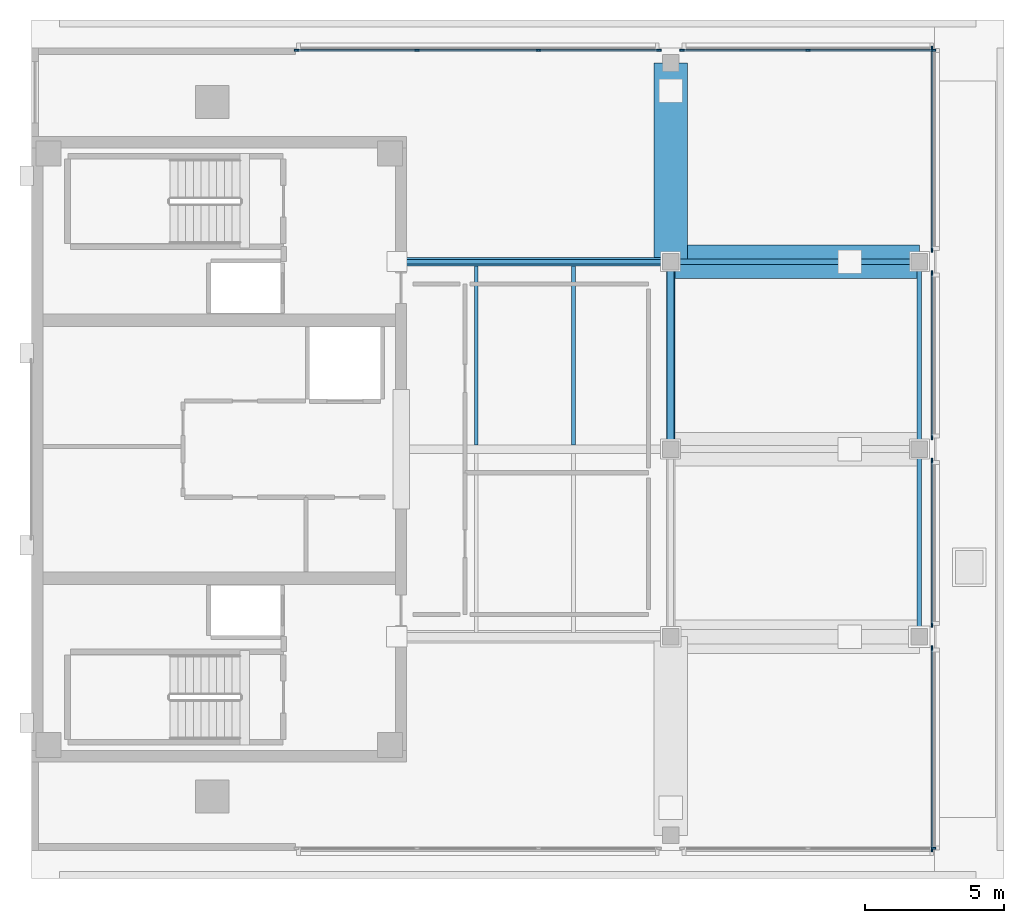
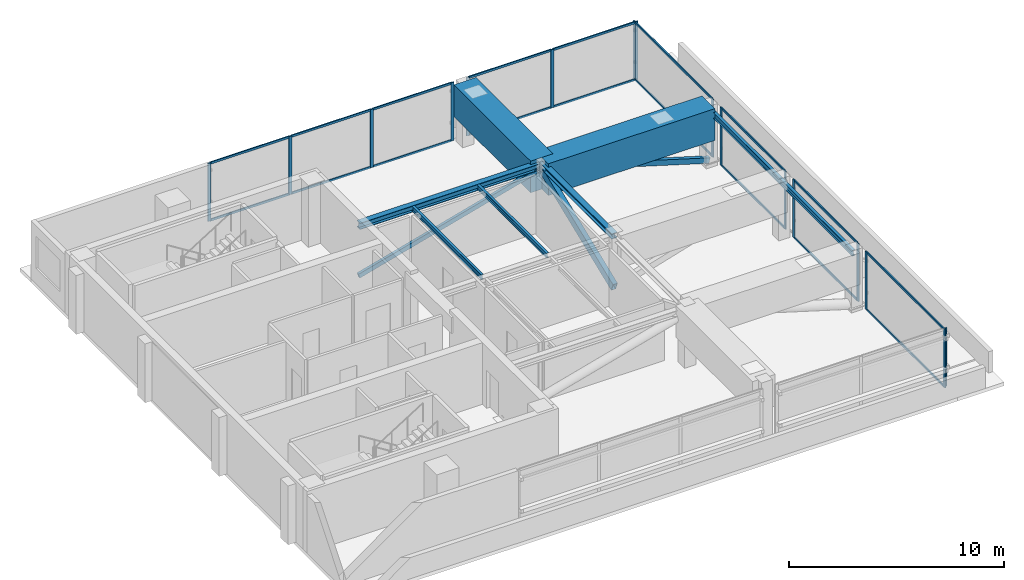
# One storey, part 3 of 10: 37 members, 8 beams, 7 elements without a shape of their own.
"""IFC4 building model written with IfcOpenShell, lengths in metres."""

from ifc_helpers import new_model, si_unit, direction, frame, origin, origin_2d, place, context, subcontext, project, spatial, rectangle, hollow_rectangle, i_section, extrude, material, layer, layer_set, material_profile, profile_set, type_object, element, aggregate, save


model = new_model("IFC4")

# Units and contexts
model_context = context("Model", 3, precision=1e-05, world=origin(), true_north=direction((0.0, 1.0)))
body_context = subcontext(model_context, "Body", "Model", "MODEL_VIEW")
ifc_project = project(units=[si_unit("LENGTHUNIT", "METRE"), si_unit("AREAUNIT", "SQUARE_METRE"), si_unit("VOLUMEUNIT", "CUBIC_METRE"), si_unit("PLANEANGLEUNIT", "RADIAN"), si_unit("MASSUNIT", "GRAM", prefix="KILO")], contexts=[model_context])

# Site, building, storey
site_placement = place(None, origin())
site = spatial("IfcSite", under=ifc_project, at=site_placement, CompositionType="ELEMENT")
building_placement = place(site_placement, origin())
building = spatial("IfcBuilding", under=site, at=building_placement, Name="Kinhvarn Gate Tower", CompositionType="ELEMENT")
storey_placement = place(building_placement, frame((0.0, 0.0, 311.050048828125)))
storey = spatial("IfcBuildingStorey", under=building, at=storey_placement, Name="L82", CompositionType="ELEMENT", Elevation=311.050048828125)

# Beams
ifc_material_1 = material(Name="Concrete C50/60", Category="concrete")
ifc_material_profile_1 = material_profile(ifc_material_1, rectangle(XDim=1.199951171875, YDim=1.800048828125, at=origin_2d()), Name="RC 1200x1800")
ifc_profile_set_1 = profile_set([ifc_material_profile_1], Name="Concrete C50/60")
beam_type_1 = type_object("IfcBeamType", Name="BM-TG-1800", PredefinedType="BEAM", material=ifc_profile_set_1)
beam_1_placement = place(storey_placement, frame((27.5, 32.0, 2.599853515625), z_axis=(1.0, 0.0, 0.0), x_axis=(0.0, 1.0, 0.0)))
element("IfcBeam", 1, at=beam_1_placement, inside=storey, type_object=beam_type_1, Name="Setback Transfer Girder TG-03-L83-CCR-E3", PredefinedType="BEAM", context=body_context, shape_type="SweptSolid", body=[
    extrude(rectangle(XDim=1.199951171875, YDim=1.800048828125, at=origin_2d()), origin(), (0.0, 0.0, 1.0), 8.949951171875),
])
beam_2_placement = place(storey_placement, frame((27.5, 32.0, 2.599853515625), z_axis=(0.0, 1.0, 0.0), x_axis=(-1.0, 0.0, 0.0)))
element("IfcBeam", 2, at=beam_2_placement, inside=storey, type_object=beam_type_1, Name="Setback Transfer Girder TG-03-L83-CCR-N1", PredefinedType="BEAM", context=body_context, shape_type="SweptSolid", body=[
    extrude(rectangle(XDim=1.199951171875, YDim=1.800048828125, at=origin_2d()), origin(), (0.0, 0.0, 1.0), 7.14990234375),
])

# Curtain wall, member
ifc_material_2 = material(Name="Anodised aluminium AW-6063", Category="aluminium")
ifc_layer = layer(ifc_material_2, 0.199951171875)
ifc_layer_set = layer_set([ifc_layer], Name="Anodised aluminium AW-6063")
curtain_wall_type = type_object("IfcCurtainWallType", Name="CW-SYS-6", PredefinedType="NOTDEFINED", material=ifc_layer_set)
curtain_wall_1_placement = place(storey_placement, origin())
curtain_wall_1 = element("IfcCurtainWall", 3, at=curtain_wall_1_placement, inside=storey, type_object=curtain_wall_type, Name="Curtain Wall CW6 (L82)", PredefinedType="NOTDEFINED")
ifc_material_profile_2 = material_profile(ifc_material_2, rectangle(XDim=0.06494140625, YDim=0.159912109375, at=origin_2d()), Name="ALU 65x160")
ifc_profile_set_2 = profile_set([ifc_material_profile_2], Name="Anodised aluminium AW-6063")
member_type_1 = type_object("IfcMemberType", Name="CW-MUL-160", PredefinedType="MULLION", material=ifc_profile_set_2)
member_1_placement = place(storey_placement, frame((36.967529296875, 10.889892578125, 0.0), z_axis=(0.0, 0.0, 1.0), x_axis=(0.0, 1.0, 0.0)))
member_1 = element("IfcMember", 4, at=member_1_placement, type_object=member_type_1, Name="CW6 mullion 3", PredefinedType="MULLION", context=body_context, shape_type="SweptSolid", body=[
    extrude(rectangle(XDim=0.06494140625, YDim=0.159912109375, at=origin_2d()), origin(), (0.0, 0.0, 1.0), 3.300048828125),
])
aggregate(curtain_wall_1, [member_1])

# Curtain wall, members
curtain_wall_2_placement = place(storey_placement, origin())
curtain_wall_2 = element("IfcCurtainWall", 5, at=curtain_wall_2_placement, inside=storey, type_object=curtain_wall_type, Name="Curtain Wall CW6 (L82)", PredefinedType="NOTDEFINED")
member_2_placement = place(storey_placement, frame((36.967529296875, 39.610107421875, 0.0), z_axis=(0.0, 0.0, 1.0), x_axis=(0.0, -1.0, 0.0)))
member_2 = element("IfcMember", 6, at=member_2_placement, type_object=member_type_1, Name="CW6 mullion 1", PredefinedType="MULLION", context=body_context, shape_type="SweptSolid", body=[
    extrude(rectangle(XDim=0.06494140625, YDim=0.159912109375, at=origin_2d()), origin(), (0.0, 0.0, 1.0), 3.300048828125),
])
member_3_placement = place(storey_placement, frame((32.43994140625, 39.610107421875, 0.0), z_axis=(0.0, 0.0, 1.0), x_axis=(0.0, -1.0, 0.0)))
member_3 = element("IfcMember", 7, at=member_3_placement, type_object=member_type_1, Name="CW6 mullion 2", PredefinedType="MULLION", context=body_context, shape_type="SweptSolid", body=[
    extrude(rectangle(XDim=0.06494140625, YDim=0.159912109375, at=origin_2d()), origin(), (0.0, 0.0, 1.0), 3.300048828125),
])
member_4_placement = place(storey_placement, frame((27.91259765625, 39.610107421875, 0.0), z_axis=(0.0, 0.0, 1.0), x_axis=(0.0, -1.0, 0.0)))
member_4 = element("IfcMember", 8, at=member_4_placement, type_object=member_type_1, Name="CW6 mullion 3", PredefinedType="MULLION", context=body_context, shape_type="SweptSolid", body=[
    extrude(rectangle(XDim=0.06494140625, YDim=0.159912109375, at=origin_2d()), origin(), (0.0, 0.0, 1.0), 3.300048828125),
])

curtain_wall_3_placement = place(storey_placement, origin())
curtain_wall_3 = element("IfcCurtainWall", 9, at=curtain_wall_3_placement, inside=storey, type_object=curtain_wall_type, Name="Curtain Wall CW6 (L82)", PredefinedType="NOTDEFINED")
member_5_placement = place(storey_placement, frame((27.08740234375, 39.610107421875, 0.0), z_axis=(0.0, 0.0, 1.0), x_axis=(0.0, -1.0, 0.0)))
member_5 = element("IfcMember", 10, at=member_5_placement, type_object=member_type_1, Name="CW6 mullion 1", PredefinedType="MULLION", context=body_context, shape_type="SweptSolid", body=[
    extrude(rectangle(XDim=0.06494140625, YDim=0.159912109375, at=origin_2d()), origin(), (0.0, 0.0, 1.0), 3.300048828125),
])
member_6_placement = place(storey_placement, frame((22.74658203125, 39.610107421875, 0.0), z_axis=(0.0, 0.0, 1.0), x_axis=(0.0, -1.0, 0.0)))
member_6 = element("IfcMember", 11, at=member_6_placement, type_object=member_type_1, Name="CW6 mullion 2", PredefinedType="MULLION", context=body_context, shape_type="SweptSolid", body=[
    extrude(rectangle(XDim=0.06494140625, YDim=0.159912109375, at=origin_2d()), origin(), (0.0, 0.0, 1.0), 3.300048828125),
])
member_7_placement = place(storey_placement, frame((18.373291015625, 39.610107421875, 0.0), z_axis=(0.0, 0.0, 1.0), x_axis=(0.0, -1.0, 0.0)))
member_7 = element("IfcMember", 12, at=member_7_placement, type_object=member_type_1, Name="CW6 mullion 3", PredefinedType="MULLION", context=body_context, shape_type="SweptSolid", body=[
    extrude(rectangle(XDim=0.06494140625, YDim=0.159912109375, at=origin_2d()), origin(), (0.0, 0.0, 1.0), 3.300048828125),
])
member_8_placement = place(storey_placement, frame((14.032470703125, 39.610107421875, 0.0), z_axis=(0.0, 0.0, 1.0), x_axis=(0.0, -1.0, 0.0)))
member_8 = element("IfcMember", 13, at=member_8_placement, type_object=member_type_1, Name="CW6 mullion 4", PredefinedType="MULLION", context=body_context, shape_type="SweptSolid", body=[
    extrude(rectangle(XDim=0.06494140625, YDim=0.159912109375, at=origin_2d()), origin(), (0.0, 0.0, 1.0), 3.300048828125),
])

curtain_wall_4_placement = place(storey_placement, origin())
curtain_wall_4 = element("IfcCurtainWall", 14, at=curtain_wall_4_placement, inside=storey, type_object=curtain_wall_type, Name="Curtain Wall CW6 (L82)", PredefinedType="NOTDEFINED")
member_9_placement = place(storey_placement, frame((36.909912109375, 10.83251953125, 0.0), z_axis=(0.0, 0.0, 1.0), x_axis=(-1.0, 0.0, 0.0)))
member_9 = element("IfcMember", 15, at=member_9_placement, type_object=member_type_1, Name="CW6 mullion 1", PredefinedType="MULLION", context=body_context, shape_type="SweptSolid", body=[
    extrude(rectangle(XDim=0.06494140625, YDim=0.159912109375, at=origin_2d()), origin(), (0.0, 0.0, 1.0), 3.300048828125),
])
member_10_placement = place(storey_placement, frame((36.909912109375, 18.08740234375, 0.0), z_axis=(0.0, 0.0, 1.0), x_axis=(-1.0, 0.0, 0.0)))
member_10 = element("IfcMember", 16, at=member_10_placement, type_object=member_type_1, Name="CW6 mullion 2", PredefinedType="MULLION", context=body_context, shape_type="SweptSolid", body=[
    extrude(rectangle(XDim=0.06494140625, YDim=0.159912109375, at=origin_2d()), origin(), (0.0, 0.0, 1.0), 3.300048828125),
])

curtain_wall_5_placement = place(storey_placement, origin())
curtain_wall_5 = element("IfcCurtainWall", 17, at=curtain_wall_5_placement, inside=storey, type_object=curtain_wall_type, Name="Curtain Wall CW6 (L82)", PredefinedType="NOTDEFINED")
member_11_placement = place(storey_placement, frame((36.909912109375, 18.91259765625, 0.0), z_axis=(0.0, 0.0, 1.0), x_axis=(-1.0, 0.0, 0.0)))
member_11 = element("IfcMember", 18, at=member_11_placement, type_object=member_type_1, Name="CW6 mullion 1", PredefinedType="MULLION", context=body_context, shape_type="SweptSolid", body=[
    extrude(rectangle(XDim=0.06494140625, YDim=0.159912109375, at=origin_2d()), origin(), (0.0, 0.0, 1.0), 3.300048828125),
])
member_12_placement = place(storey_placement, frame((36.909912109375, 24.83740234375, 0.0), z_axis=(0.0, 0.0, 1.0), x_axis=(-1.0, 0.0, 0.0)))
member_12 = element("IfcMember", 19, at=member_12_placement, type_object=member_type_1, Name="CW6 mullion 2", PredefinedType="MULLION", context=body_context, shape_type="SweptSolid", body=[
    extrude(rectangle(XDim=0.06494140625, YDim=0.159912109375, at=origin_2d()), origin(), (0.0, 0.0, 1.0), 3.300048828125),
])

curtain_wall_6_placement = place(storey_placement, origin())
curtain_wall_6 = element("IfcCurtainWall", 20, at=curtain_wall_6_placement, inside=storey, type_object=curtain_wall_type, Name="Curtain Wall CW6 (L82)", PredefinedType="NOTDEFINED")
member_13_placement = place(storey_placement, frame((36.909912109375, 25.66259765625, 0.0), z_axis=(0.0, 0.0, 1.0), x_axis=(-1.0, 0.0, 0.0)))
member_13 = element("IfcMember", 21, at=member_13_placement, type_object=member_type_1, Name="CW6 mullion 1", PredefinedType="MULLION", context=body_context, shape_type="SweptSolid", body=[
    extrude(rectangle(XDim=0.06494140625, YDim=0.159912109375, at=origin_2d()), origin(), (0.0, 0.0, 1.0), 3.300048828125),
])
member_14_placement = place(storey_placement, frame((36.909912109375, 31.58740234375, 0.0), z_axis=(0.0, 0.0, 1.0), x_axis=(-1.0, 0.0, 0.0)))
member_14 = element("IfcMember", 22, at=member_14_placement, type_object=member_type_1, Name="CW6 mullion 2", PredefinedType="MULLION", context=body_context, shape_type="SweptSolid", body=[
    extrude(rectangle(XDim=0.06494140625, YDim=0.159912109375, at=origin_2d()), origin(), (0.0, 0.0, 1.0), 3.300048828125),
])

curtain_wall_7_placement = place(storey_placement, origin())
curtain_wall_7 = element("IfcCurtainWall", 23, at=curtain_wall_7_placement, inside=storey, type_object=curtain_wall_type, Name="Curtain Wall CW6 (L82)", PredefinedType="NOTDEFINED")
member_15_placement = place(storey_placement, frame((36.909912109375, 32.41259765625, 0.0), z_axis=(0.0, 0.0, 1.0), x_axis=(-1.0, 0.0, 0.0)))
member_15 = element("IfcMember", 24, at=member_15_placement, type_object=member_type_1, Name="CW6 mullion 1", PredefinedType="MULLION", context=body_context, shape_type="SweptSolid", body=[
    extrude(rectangle(XDim=0.06494140625, YDim=0.159912109375, at=origin_2d()), origin(), (0.0, 0.0, 1.0), 3.300048828125),
])
member_16_placement = place(storey_placement, frame((36.909912109375, 39.66748046875, 0.0), z_axis=(0.0, 0.0, 1.0), x_axis=(-1.0, 0.0, 0.0)))
member_16 = element("IfcMember", 25, at=member_16_placement, type_object=member_type_1, Name="CW6 mullion 2", PredefinedType="MULLION", context=body_context, shape_type="SweptSolid", body=[
    extrude(rectangle(XDim=0.06494140625, YDim=0.159912109375, at=origin_2d()), origin(), (0.0, 0.0, 1.0), 3.300048828125),
])

# Member
ifc_material_profile_3 = material_profile(ifc_material_2, rectangle(XDim=0.06494140625, YDim=0.1201171875, at=origin_2d()), Name="ALU 65x120")
ifc_profile_set_3 = profile_set([ifc_material_profile_3], Name="Anodised aluminium AW-6063")
member_type_2 = type_object("IfcMemberType", Name="CW-TRN-120", PredefinedType="USERDEFINED", material=ifc_profile_set_3)
member_17_placement = place(storey_placement, frame((36.93505859375, 39.610107421875, 0.032470703125), z_axis=(-1.0, 0.0, 0.0), x_axis=(0.0, -1.0, 0.0)))
member_17 = element("IfcMember", 26, at=member_17_placement, type_object=member_type_2, Name="CW6 transom 1.1", ObjectType="TRANSOM", PredefinedType="USERDEFINED", context=body_context, shape_type="SweptSolid", body=[
    extrude(rectangle(XDim=0.06494140625, YDim=0.1201171875, at=origin_2d()), origin(), (0.0, 0.0, 1.0), 4.462646484375),
])

member_18_placement = place(storey_placement, frame((36.93505859375, 39.610107421875, 3.267333984375), z_axis=(-1.0, 0.0, 0.0), x_axis=(0.0, -1.0, 0.0)))
member_18 = element("IfcMember", 27, at=member_18_placement, type_object=member_type_2, Name="CW6 transom 1.2", ObjectType="TRANSOM", PredefinedType="USERDEFINED", context=body_context, shape_type="SweptSolid", body=[
    extrude(rectangle(XDim=0.06494140625, YDim=0.1201171875, at=origin_2d()), origin(), (0.0, 0.0, 1.0), 4.462646484375),
])

member_19_placement = place(storey_placement, frame((32.407470703125, 39.610107421875, 0.032470703125), z_axis=(-1.0, 0.0, 0.0), x_axis=(0.0, -1.0, 0.0)))
member_19 = element("IfcMember", 28, at=member_19_placement, type_object=member_type_2, Name="CW6 transom 2.1", ObjectType="TRANSOM", PredefinedType="USERDEFINED", context=body_context, shape_type="SweptSolid", body=[
    extrude(rectangle(XDim=0.06494140625, YDim=0.1201171875, at=origin_2d()), origin(), (0.0, 0.0, 1.0), 4.46240234375),
])

member_20_placement = place(storey_placement, frame((32.407470703125, 39.610107421875, 3.267333984375), z_axis=(-1.0, 0.0, 0.0), x_axis=(0.0, -1.0, 0.0)))
member_20 = element("IfcMember", 29, at=member_20_placement, type_object=member_type_2, Name="CW6 transom 2.2", ObjectType="TRANSOM", PredefinedType="USERDEFINED", context=body_context, shape_type="SweptSolid", body=[
    extrude(rectangle(XDim=0.06494140625, YDim=0.1201171875, at=origin_2d()), origin(), (0.0, 0.0, 1.0), 4.46240234375),
])

aggregate(curtain_wall_2, [member_2, member_3, member_4, member_17, member_18, member_19, member_20])

member_21_placement = place(storey_placement, frame((27.054931640625, 39.610107421875, 0.032470703125), z_axis=(-1.0, 0.0, 0.0), x_axis=(0.0, -1.0, 0.0)))
member_21 = element("IfcMember", 30, at=member_21_placement, type_object=member_type_2, Name="CW6 transom 1.1", ObjectType="TRANSOM", PredefinedType="USERDEFINED", context=body_context, shape_type="SweptSolid", body=[
    extrude(rectangle(XDim=0.06494140625, YDim=0.1201171875, at=origin_2d()), origin(), (0.0, 0.0, 1.0), 4.27587890625),
])

member_22_placement = place(storey_placement, frame((27.054931640625, 39.610107421875, 3.267333984375), z_axis=(-1.0, 0.0, 0.0), x_axis=(0.0, -1.0, 0.0)))
member_22 = element("IfcMember", 31, at=member_22_placement, type_object=member_type_2, Name="CW6 transom 1.2", ObjectType="TRANSOM", PredefinedType="USERDEFINED", context=body_context, shape_type="SweptSolid", body=[
    extrude(rectangle(XDim=0.06494140625, YDim=0.1201171875, at=origin_2d()), origin(), (0.0, 0.0, 1.0), 4.27587890625),
])

member_23_placement = place(storey_placement, frame((22.714111328125, 39.610107421875, 0.032470703125), z_axis=(-1.0, 0.0, 0.0), x_axis=(0.0, -1.0, 0.0)))
member_23 = element("IfcMember", 32, at=member_23_placement, type_object=member_type_2, Name="CW6 transom 2.1", ObjectType="TRANSOM", PredefinedType="USERDEFINED", context=body_context, shape_type="SweptSolid", body=[
    extrude(rectangle(XDim=0.06494140625, YDim=0.1201171875, at=origin_2d()), origin(), (0.0, 0.0, 1.0), 4.308349609375),
])

member_24_placement = place(storey_placement, frame((22.714111328125, 39.610107421875, 3.267333984375), z_axis=(-1.0, 0.0, 0.0), x_axis=(0.0, -1.0, 0.0)))
member_24 = element("IfcMember", 33, at=member_24_placement, type_object=member_type_2, Name="CW6 transom 2.2", ObjectType="TRANSOM", PredefinedType="USERDEFINED", context=body_context, shape_type="SweptSolid", body=[
    extrude(rectangle(XDim=0.06494140625, YDim=0.1201171875, at=origin_2d()), origin(), (0.0, 0.0, 1.0), 4.308349609375),
])

member_25_placement = place(storey_placement, frame((18.3408203125, 39.610107421875, 0.032470703125), z_axis=(-1.0, 0.0, 0.0), x_axis=(0.0, -1.0, 0.0)))
member_25 = element("IfcMember", 34, at=member_25_placement, type_object=member_type_2, Name="CW6 transom 3.1", ObjectType="TRANSOM", PredefinedType="USERDEFINED", context=body_context, shape_type="SweptSolid", body=[
    extrude(rectangle(XDim=0.06494140625, YDim=0.1201171875, at=origin_2d()), origin(), (0.0, 0.0, 1.0), 4.27587890625),
])

member_26_placement = place(storey_placement, frame((18.3408203125, 39.610107421875, 3.267333984375), z_axis=(-1.0, 0.0, 0.0), x_axis=(0.0, -1.0, 0.0)))
member_26 = element("IfcMember", 35, at=member_26_placement, type_object=member_type_2, Name="CW6 transom 3.2", ObjectType="TRANSOM", PredefinedType="USERDEFINED", context=body_context, shape_type="SweptSolid", body=[
    extrude(rectangle(XDim=0.06494140625, YDim=0.1201171875, at=origin_2d()), origin(), (0.0, 0.0, 1.0), 4.27587890625),
])

aggregate(curtain_wall_3, [member_5, member_6, member_7, member_8, member_21, member_22, member_23, member_24, member_25, member_26])

member_27_placement = place(storey_placement, frame((36.909912109375, 10.864990234375, 0.032470703125), z_axis=(0.0, 1.0, 0.0), x_axis=(-1.0, 0.0, 0.0)))
member_27 = element("IfcMember", 36, at=member_27_placement, type_object=member_type_2, Name="CW6 transom 1.1", ObjectType="TRANSOM", PredefinedType="USERDEFINED", context=body_context, shape_type="SweptSolid", body=[
    extrude(rectangle(XDim=0.06494140625, YDim=0.1201171875, at=origin_2d()), origin(), (0.0, 0.0, 1.0), 7.18994140625),
])

member_28_placement = place(storey_placement, frame((36.909912109375, 10.864990234375, 3.267333984375), z_axis=(0.0, 1.0, 0.0), x_axis=(-1.0, 0.0, 0.0)))
member_28 = element("IfcMember", 37, at=member_28_placement, type_object=member_type_2, Name="CW6 transom 1.2", ObjectType="TRANSOM", PredefinedType="USERDEFINED", context=body_context, shape_type="SweptSolid", body=[
    extrude(rectangle(XDim=0.06494140625, YDim=0.1201171875, at=origin_2d()), origin(), (0.0, 0.0, 1.0), 7.18994140625),
])

aggregate(curtain_wall_4, [member_9, member_10, member_27, member_28])

member_29_placement = place(storey_placement, frame((36.909912109375, 18.945068359375, 0.032470703125), z_axis=(0.0, 1.0, 0.0), x_axis=(-1.0, 0.0, 0.0)))
member_29 = element("IfcMember", 38, at=member_29_placement, type_object=member_type_2, Name="CW6 transom 1.1", ObjectType="TRANSOM", PredefinedType="USERDEFINED", context=body_context, shape_type="SweptSolid", body=[
    extrude(rectangle(XDim=0.06494140625, YDim=0.1201171875, at=origin_2d()), origin(), (0.0, 0.0, 1.0), 5.85986328125),
])

member_30_placement = place(storey_placement, frame((36.909912109375, 18.945068359375, 3.267333984375), z_axis=(0.0, 1.0, 0.0), x_axis=(-1.0, 0.0, 0.0)))
member_30 = element("IfcMember", 39, at=member_30_placement, type_object=member_type_2, Name="CW6 transom 1.2", ObjectType="TRANSOM", PredefinedType="USERDEFINED", context=body_context, shape_type="SweptSolid", body=[
    extrude(rectangle(XDim=0.06494140625, YDim=0.1201171875, at=origin_2d()), origin(), (0.0, 0.0, 1.0), 5.85986328125),
])

aggregate(curtain_wall_5, [member_11, member_12, member_29, member_30])

member_31_placement = place(storey_placement, frame((36.909912109375, 25.695068359375, 0.032470703125), z_axis=(0.0, 1.0, 0.0), x_axis=(-1.0, 0.0, 0.0)))
member_31 = element("IfcMember", 40, at=member_31_placement, type_object=member_type_2, Name="CW6 transom 1.1", ObjectType="TRANSOM", PredefinedType="USERDEFINED", context=body_context, shape_type="SweptSolid", body=[
    extrude(rectangle(XDim=0.06494140625, YDim=0.1201171875, at=origin_2d()), origin(), (0.0, 0.0, 1.0), 5.85986328125),
])

member_32_placement = place(storey_placement, frame((36.909912109375, 25.695068359375, 3.267333984375), z_axis=(0.0, 1.0, 0.0), x_axis=(-1.0, 0.0, 0.0)))
member_32 = element("IfcMember", 41, at=member_32_placement, type_object=member_type_2, Name="CW6 transom 1.2", ObjectType="TRANSOM", PredefinedType="USERDEFINED", context=body_context, shape_type="SweptSolid", body=[
    extrude(rectangle(XDim=0.06494140625, YDim=0.1201171875, at=origin_2d()), origin(), (0.0, 0.0, 1.0), 5.85986328125),
])

aggregate(curtain_wall_6, [member_13, member_14, member_31, member_32])

member_33_placement = place(storey_placement, frame((36.909912109375, 32.445068359375, 0.032470703125), z_axis=(0.0, 1.0, 0.0), x_axis=(-1.0, 0.0, 0.0)))
member_33 = element("IfcMember", 42, at=member_33_placement, type_object=member_type_2, Name="CW6 transom 1.1", ObjectType="TRANSOM", PredefinedType="USERDEFINED", context=body_context, shape_type="SweptSolid", body=[
    extrude(rectangle(XDim=0.06494140625, YDim=0.1201171875, at=origin_2d()), origin(), (0.0, 0.0, 1.0), 7.18994140625),
])

member_34_placement = place(storey_placement, frame((36.909912109375, 32.445068359375, 3.267333984375), z_axis=(0.0, 1.0, 0.0), x_axis=(-1.0, 0.0, 0.0)))
member_34 = element("IfcMember", 43, at=member_34_placement, type_object=member_type_2, Name="CW6 transom 1.2", ObjectType="TRANSOM", PredefinedType="USERDEFINED", context=body_context, shape_type="SweptSolid", body=[
    extrude(rectangle(XDim=0.06494140625, YDim=0.1201171875, at=origin_2d()), origin(), (0.0, 0.0, 1.0), 7.18994140625),
])

aggregate(curtain_wall_7, [member_15, member_16, member_33, member_34])

# Members
ifc_material_3 = material(Name="Steel S355", Category="steel")
ifc_material_profile_4 = material_profile(ifc_material_3, hollow_rectangle(XDim=0.14990234375, YDim=0.25, WallThickness=0.011962890625, at=origin_2d()), Name="RHS 250x150x12")
ifc_profile_set_4 = profile_set([ifc_material_profile_4], Name="Steel S355")
member_type_3 = type_object("IfcMemberType", Name="MBR-RHS250x150x12", PredefinedType="BRACE", material=ifc_profile_set_4)
member_35_placement = place(storey_placement, frame((17.64990234375, 32.0, 0.25), z_axis=(0.964425984985, 0.0, 0.264353020571), x_axis=(0.0, 1.0, 0.0)))
element("IfcMember", 44, at=member_35_placement, inside=storey, type_object=member_type_3, Name="Crown Frame Strut BR-01 (RHS 250x150x12)", PredefinedType="BRACE", context=body_context, shape_type="SweptSolid", body=[
    extrude(hollow_rectangle(XDim=0.14990234375, YDim=0.25, WallThickness=0.011962890625, at=origin_2d()), origin(), (0.0, 0.0, 1.0), 10.21337890625),
])
ifc_material_profile_5 = material_profile(ifc_material_3, hollow_rectangle(XDim=0.199951171875, YDim=0.300048828125, WallThickness=0.011962890625, at=origin_2d()), Name="RHS 300x200x12")
ifc_profile_set_5 = profile_set([ifc_material_profile_5], Name="Steel S355")
member_type_4 = type_object("IfcMemberType", Name="MBR-RHS300x200x12", PredefinedType="BRACE", material=ifc_profile_set_5)
member_36_placement = place(storey_placement, frame((27.5, 32.0, 2.949951171875), z_axis=(0.957384542381, 0.0, -0.288816270334), x_axis=(0.0, 1.0, 0.0)))
element("IfcMember", 45, at=member_36_placement, inside=storey, type_object=member_type_4, Name="Crown Frame Strut BR-02 (RHS 300x200x12)", PredefinedType="BRACE", context=body_context, shape_type="SweptSolid", body=[
    extrude(hollow_rectangle(XDim=0.199951171875, YDim=0.300048828125, WallThickness=0.011962890625, at=origin_2d()), origin(), (0.0, 0.0, 1.0), 9.348388671875),
])
ifc_material_profile_6 = material_profile(ifc_material_3, hollow_rectangle(XDim=0.25, YDim=0.449951171875, WallThickness=0.01611328125, at=origin_2d()), Name="RHS 450x250x16")
ifc_profile_set_6 = profile_set([ifc_material_profile_6], Name="Steel S355")
member_type_5 = type_object("IfcMemberType", Name="MBR-RHS450x250x16", PredefinedType="BRACE", material=ifc_profile_set_6)
member_37_placement = place(storey_placement, frame((27.5, 25.25, 0.25), z_axis=(0.0, 0.928479006877, 0.371384886323), x_axis=(-1.0, 0.0, 0.0)))
element("IfcMember", 46, at=member_37_placement, inside=storey, type_object=member_type_5, Name="Crown Frame Strut BR-05 (RHS 450x250x16)", PredefinedType="BRACE", context=body_context, shape_type="SweptSolid", body=[
    extrude(hollow_rectangle(XDim=0.25, YDim=0.449951171875, WallThickness=0.01611328125, at=origin_2d()), origin(), (0.0, 0.0, 1.0), 7.27001953125),
])

# Beams
ifc_material_profile_7 = material_profile(ifc_material_3, i_section(OverallWidth=0.300048828125, OverallDepth=0.300048828125, WebThickness=0.010986328125, FlangeThickness=0.01904296875, at=origin_2d()), Name="HEB 300")
ifc_profile_set_7 = profile_set([ifc_material_profile_7], Name="Steel S355")
beam_type_2 = type_object("IfcBeamType", Name="STL-HEB300", PredefinedType="BEAM", material=ifc_profile_set_7)
beam_3_placement = place(storey_placement, frame((27.5, 25.25, 3.14990234375), z_axis=(0.0, 1.0, 0.0), x_axis=(-1.0, 0.0, 0.0)))
element("IfcBeam", 47, at=beam_3_placement, inside=storey, type_object=beam_type_2, Name="Floor Beam PG-10 (L82 CR-NS-M2)", PredefinedType="BEAM", context=body_context, shape_type="SweptSolid", body=[
    extrude(i_section(OverallWidth=0.300048828125, OverallDepth=0.300048828125, WebThickness=0.010986328125, FlangeThickness=0.01904296875, at=origin_2d()), origin(), (0.0, 0.0, 1.0), 6.75),
])
ifc_material_profile_8 = material_profile(ifc_material_3, i_section(OverallWidth=0.300048828125, OverallDepth=0.360107421875, WebThickness=0.012451171875, FlangeThickness=0.0224609375, at=origin_2d()), Name="HEB 360")
ifc_profile_set_8 = profile_set([ifc_material_profile_8], Name="Steel S355")
beam_type_3 = type_object("IfcBeamType", Name="STL-HEB360", PredefinedType="BEAM", material=ifc_profile_set_8)
beam_4_placement = place(storey_placement, frame((17.64990234375, 32.0, 3.119873046875), z_axis=(1.0, 0.0, 0.0), x_axis=(0.0, 1.0, 0.0)))
element("IfcBeam", 48, at=beam_4_placement, inside=storey, type_object=beam_type_3, Name="Floor Beam PG-11 (L82 CR-EW1-32)", PredefinedType="BEAM", context=body_context, shape_type="SweptSolid", body=[
    extrude(i_section(OverallWidth=0.300048828125, OverallDepth=0.360107421875, WebThickness=0.012451171875, FlangeThickness=0.0224609375, at=origin_2d()), origin(), (0.0, 0.0, 1.0), 9.85009765625),
])
ifc_material_profile_9 = material_profile(ifc_material_3, i_section(OverallWidth=0.135009765625, OverallDepth=0.27001953125, WebThickness=0.006591796875, FlangeThickness=0.01025390625, at=origin_2d()), Name="IPE 270")
ifc_profile_set_9 = profile_set([ifc_material_profile_9], Name="Steel S355")
beam_type_4 = type_object("IfcBeamType", Name="STL-IPE270", PredefinedType="JOIST", material=ifc_profile_set_9)
for number, where, z_axis, x_axis, name in (
    (49, (20.5, 25.39990234375, 3.1650390625), (0.0, 1.0, 0.0), (-1.0, 0.0, 0.0), "Floor Joist SB-01 (L82 CR-J2-205)"),
    (50, (24.0, 25.39990234375, 3.1650390625), (0.0, 1.0, 0.0), (-1.0, 0.0, 0.0), "Floor Joist SB-01 (L82 CR-J2-240)"),
):
    element("IfcBeam", number, at=place(storey_placement, frame(where, z_axis=z_axis, x_axis=x_axis)), inside=storey, type_object=beam_type_4, Name=name, PredefinedType="JOIST", context=body_context, shape_type="SweptSolid", body=[
        extrude(i_section(OverallWidth=0.135009765625, OverallDepth=0.27001953125, WebThickness=0.006591796875, FlangeThickness=0.01025390625, at=origin_2d()), origin(), (0.0, 0.0, 1.0), 6.4501953125),
    ])
ifc_material_profile_10 = material_profile(ifc_material_3, i_section(OverallWidth=0.159912109375, OverallDepth=0.330078125, WebThickness=0.007568359375, FlangeThickness=0.011474609375, at=origin_2d()), Name="IPE 330")
ifc_profile_set_10 = profile_set([ifc_material_profile_10], Name="Steel S355")
beam_type_5 = type_object("IfcBeamType", Name="STL-IPE330", PredefinedType="JOIST", material=ifc_profile_set_10)
for number, where, z_axis, x_axis, name in (
    (51, (36.449951171875, 18.5, 3.135009765625), (0.0, 1.0, 0.0), (-1.0, 0.0, 0.0), "Floor Joist SB-03 (L82 CR-SPE1)"),
    (52, (36.449951171875, 25.25, 3.135009765625), (0.0, 1.0, 0.0), (-1.0, 0.0, 0.0), "Floor Joist SB-03 (L82 CR-SPE2)"),
):
    element("IfcBeam", number, at=place(storey_placement, frame(where, z_axis=z_axis, x_axis=x_axis)), inside=storey, type_object=beam_type_5, Name=name, PredefinedType="JOIST", context=body_context, shape_type="SweptSolid", body=[
        extrude(i_section(OverallWidth=0.159912109375, OverallDepth=0.330078125, WebThickness=0.007568359375, FlangeThickness=0.011474609375, at=origin_2d()), origin(), (0.0, 0.0, 1.0), 6.75),
    ])

save(model, "model.ifc")
